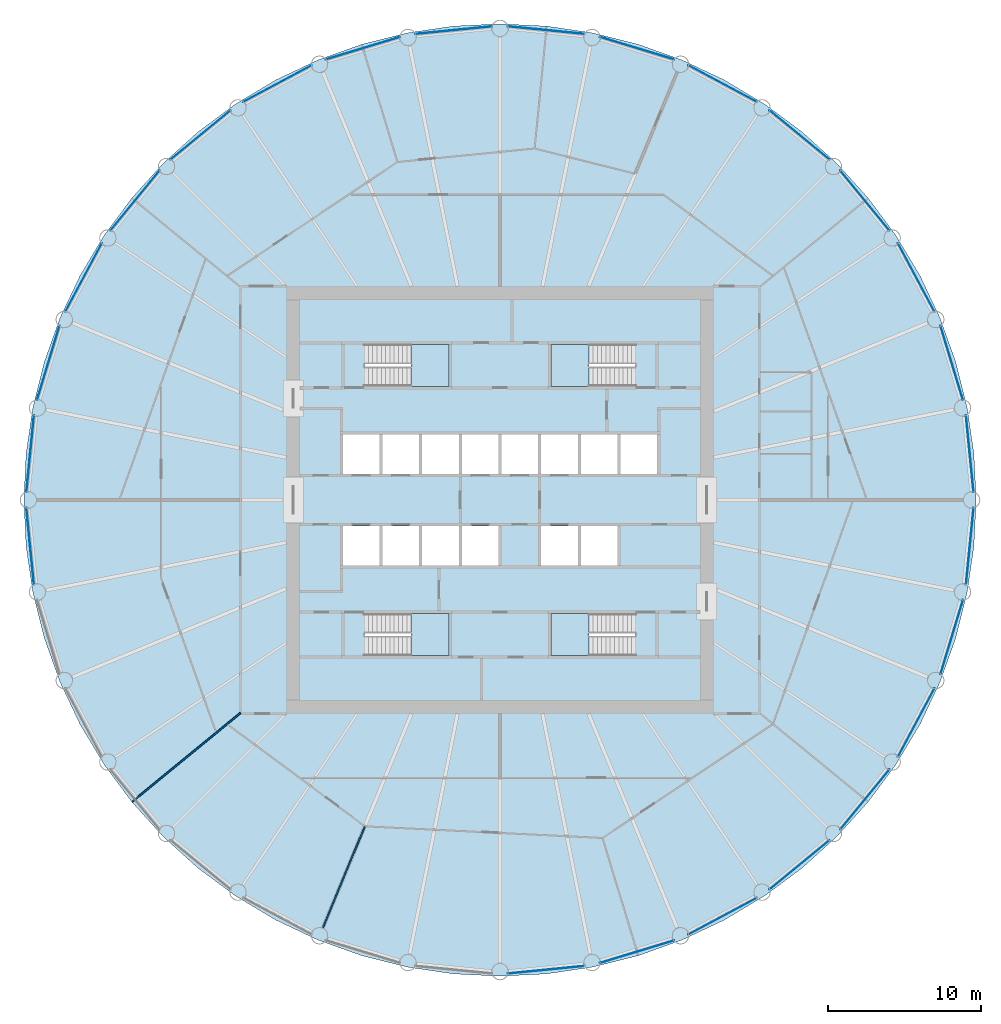
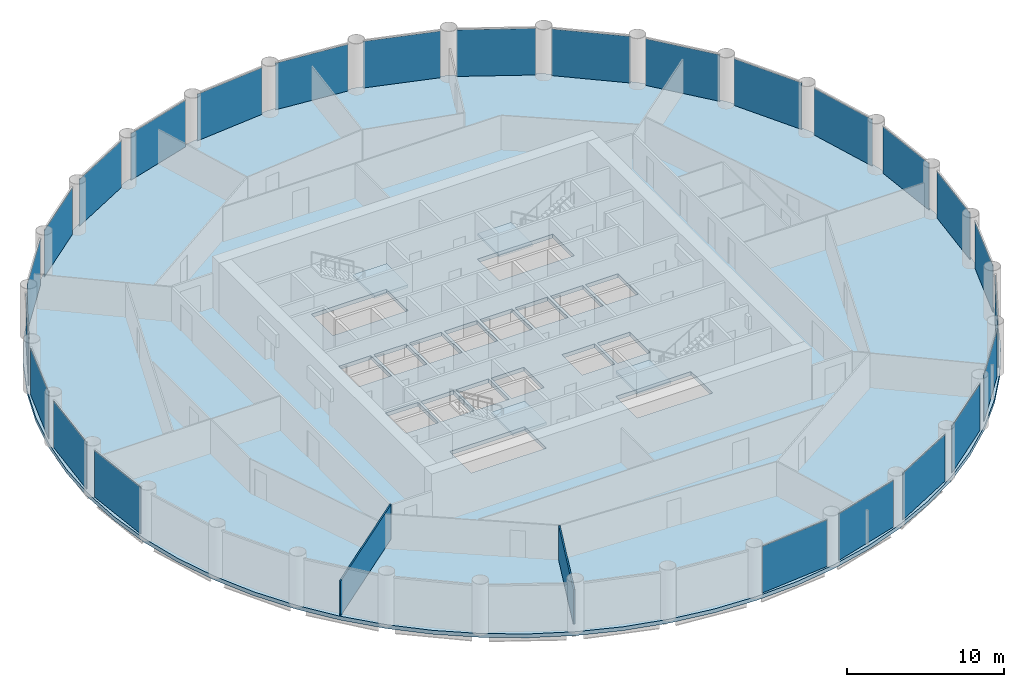
# One storey, part 3 of 9: 25 plates, 5 slabs, 2 walls, 29 elements without a shape of their own.
"""IFC4 building model written with IfcOpenShell, lengths in metres."""

import ifcopenshell
import ifcopenshell.guid

model = None  # the IFC model being written
_history = None  # IfcOwnerHistory: only IFC2X3 demands one
_inside = {}  # id of a spatial element -> (the spatial element, [elements in it])
_under = {}  # id of a project, library or spatial element -> (it, [spatial elements below it])
_declared = {}  # id of a project -> (the project, [libraries it declares])
_typed = {}  # id of a type object -> (the type object, [elements of that type])
_made_of = {}  # id of a material, layer set ... -> (it, [elements and type objects made of it])


def new_model(schema):
    """Start an empty IFC model of exactly this schema.

    Asked for "IFC4X3", IfcOpenShell would pick the latest addendum, in which some entities
    have other attributes; the version numbers below select the first issue.
    IFC2X3 requires an IfcOwnerHistory on every rooted entity: one is made here for all.
    """
    global model, _history
    if schema == "IFC4X3":
        model = ifcopenshell.file(schema_version=(4, 3, 0, 0))
    else:
        model = ifcopenshell.file(schema=schema)
    _inside.clear()
    _under.clear()
    _declared.clear()
    _typed.clear()
    _made_of.clear()
    _history = None
    if model.schema == "IFC2X3":
        org = make("IfcOrganization", Name="unknown")
        user = make(
            "IfcPersonAndOrganization",
            ThePerson=make("IfcPerson", FamilyName="unknown"),
            TheOrganization=org,
        )
        app = make(
            "IfcApplication",
            ApplicationDeveloper=org,
            Version="unknown",
            ApplicationFullName="unknown",
            ApplicationIdentifier="unknown",
        )
        _history = make(
            "IfcOwnerHistory",
            OwningUser=user,
            OwningApplication=app,
            ChangeAction="ADDED",
            CreationDate=0,
        )
    return model


def make(cls, **values):
    """One entity of the class cls with the attributes given. An attribute that is None is left unset."""
    return model.create_entity(
        cls, **{name: value for name, value in values.items() if value is not None}
    )


def rooted(cls, **values):
    """An entity with a GlobalId (a new one), such as an element, a storey or a relation."""
    return make(cls, GlobalId=ifcopenshell.guid.new(), OwnerHistory=_history, **values)


def si_unit(unit_type, name, prefix=None):
    """IfcSIUnit, for example si_unit("LENGTHUNIT", "METRE", prefix="MILLI")."""
    return make("IfcSIUnit", UnitType=unit_type, Prefix=prefix, Name=name)


def assignment(units):
    """IfcUnitAssignment: the units of a project."""
    return None if units is None else make("IfcUnitAssignment", Units=units)


def point(xyz):
    """IfcCartesianPoint."""
    return None if xyz is None else make("IfcCartesianPoint", Coordinates=xyz)


def direction(xyz):
    """IfcDirection."""
    return None if xyz is None else make("IfcDirection", DirectionRatios=xyz)


def frame(location, z_axis=None, x_axis=None):
    """IfcAxis2Placement3D, a coordinate frame: its origin and axes. An axis left out is left unset."""
    return make(
        "IfcAxis2Placement3D",
        Location=point(location),
        Axis=direction(z_axis),
        RefDirection=direction(x_axis),
    )


def frame_2d(location, x_axis=None):
    """IfcAxis2Placement2D, a coordinate frame in the plane: its origin and x axis."""
    return make(
        "IfcAxis2Placement2D", Location=point(location), RefDirection=direction(x_axis)
    )


def origin():
    """The frame at (0, 0, 0) with its axes left unset."""
    return frame((0.0, 0.0, 0.0))


def origin_2d():
    """The frame at (0, 0) in the plane with its x axis left unset."""
    return frame_2d((0.0, 0.0))


def place(relative_to, where):
    """IfcLocalPlacement: puts the frame where relative to a parent placement (None: the world)."""
    return make(
        "IfcLocalPlacement", PlacementRelTo=relative_to, RelativePlacement=where
    )


def context(
    kind, dimensions, precision=None, world=None, true_north=None, identifier=None
):
    """IfcGeometricRepresentationContext, for example the 3D "Model" context."""
    return make(
        "IfcGeometricRepresentationContext",
        ContextIdentifier=identifier,
        ContextType=kind,
        CoordinateSpaceDimension=dimensions,
        Precision=precision,
        WorldCoordinateSystem=world,
        TrueNorth=true_north,
    )


def subcontext(parent, identifier, kind, view, scale=None):
    """IfcGeometricRepresentationSubContext, for example "Body" below "Model"."""
    return make(
        "IfcGeometricRepresentationSubContext",
        ContextIdentifier=identifier,
        ContextType=kind,
        ParentContext=parent,
        TargetScale=scale,
        TargetView=view,
    )


def project(units=None, contexts=None):
    """IfcProject with its units and contexts."""
    return rooted(
        "IfcProject",
        Name="project",
        RepresentationContexts=contexts,
        UnitsInContext=assignment(units),
    )


def spatial(cls, under=None, at=None, **own):
    """A site, building, storey or space (cls), placed at a placement, below another one or the project."""
    s = rooted(cls, ObjectPlacement=at, **own)
    if under is not None:
        _under.setdefault(under.id(), (under, []))[1].append(s)
    return s


def polyline(points):
    """IfcPolyline through the points."""
    return make("IfcPolyline", Points=[point(p) for p in points])


def profile(cls, at=None, kind="AREA", **sizes):
    """A parametric profile (cls). Its sizes go by their IFC names, for example OverallWidth=200.0."""
    return make(cls, ProfileType=kind, Position=at, **sizes)


def rectangle(**sizes):
    """IfcRectangleProfileDef."""
    return profile("IfcRectangleProfileDef", **sizes)


def outline(outer, holes=None, kind="AREA"):
    """IfcArbitraryClosedProfileDef: a profile drawn as a closed curve; with holes, ...WithVoids."""
    if holes is None:
        return make("IfcArbitraryClosedProfileDef", ProfileType=kind, OuterCurve=outer)
    return make(
        "IfcArbitraryProfileDefWithVoids",
        ProfileType=kind,
        OuterCurve=outer,
        InnerCurves=holes,
    )


def extrude(swept, where, along, depth):
    """IfcExtrudedAreaSolid: the profile swept, set in the frame where, extruded along a direction by depth."""
    return make(
        "IfcExtrudedAreaSolid",
        SweptArea=swept,
        Position=where,
        ExtrudedDirection=direction(along),
        Depth=depth,
    )


def shape(context_of_items, identifier, shape_type, items):
    """IfcShapeRepresentation: the items that make up one representation, for example the "Body"."""
    return make(
        "IfcShapeRepresentation",
        ContextOfItems=context_of_items,
        RepresentationIdentifier=identifier,
        RepresentationType=shape_type,
        Items=items,
    )


def material(Name=None, Category=None):
    """IfcMaterial."""
    return make("IfcMaterial", Name=Name, Category=Category)


def layer(
    of_material, thickness, ventilated=None, Name=None, Category=None, Priority=None
):
    """IfcMaterialLayer: one layer of a wall or slab, of a material (None: an air gap)."""
    return make(
        "IfcMaterialLayer",
        Material=of_material,
        LayerThickness=thickness,
        IsVentilated=ventilated,
        Name=Name,
        Category=Category,
        Priority=Priority,
    )


def layer_set(layers, Name=None):
    """IfcMaterialLayerSet."""
    return make("IfcMaterialLayerSet", MaterialLayers=layers, LayerSetName=Name)


def made_of(thing, what):
    """Note that an element or type object is made of a material, layer set ...; save() writes the relation."""
    if what is not None:
        _made_of.setdefault(what.id(), (what, []))[1].append(thing)
    return thing


def type_object(cls, material=None, **own):
    """A type object (cls), such as IfcWallType, which elements share."""
    return made_of(rooted(cls, **own), material)


def element(
    cls,
    number,
    at=None,
    inside=None,
    cuts=None,
    type_object=None,
    material=None,
    context=None,
    identifier="Body",
    shape_type=None,
    held_by="IfcProductDefinitionShape",
    body=None,
    shapes=None,
    **own,
):
    """One element of the class cls, such as IfcWall. Its Tag is "e" and its number.

    at: its placement. inside: the storey or other place that contains it. cuts: it is an
    opening in that element (IfcRelVoidsElement). A single representation is given by context,
    identifier, shape_type and body (its items); several are given by shapes. held_by: the class
    of the entity that holds the representations. save() writes the other relations.
    """
    e = rooted(cls, Tag="e%d" % number, ObjectPlacement=at, **own)
    if body is not None:
        shapes = [shape(context, identifier, shape_type, body)]
    if shapes is not None:
        e.Representation = make(held_by, Representations=shapes)
    if inside is not None:
        _inside.setdefault(inside.id(), (inside, []))[1].append(e)
    if cuts is not None:
        rooted(
            "IfcRelVoidsElement", RelatingBuildingElement=cuts, RelatedOpeningElement=e
        )
    if type_object is not None:
        _typed.setdefault(type_object.id(), (type_object, []))[1].append(e)
    return made_of(e, material)


def aggregate(whole, parts):
    """IfcRelAggregates: a whole, such as a stair, and the parts it consists of."""
    return rooted("IfcRelAggregates", RelatingObject=whole, RelatedObjects=parts)


def save(model, path):
    """Write the relations noted so far, then the file.

    IfcRelAggregates (storeys below a building ...), IfcRelContainedInSpatialStructure (elements
    in a storey), IfcRelDefinesByType, IfcRelAssociatesMaterial and IfcRelDeclares: one each for
    every whole, place, type object, material and project.
    """
    for whole, parts in _under.values():
        aggregate(whole, parts)
    for where, things in _inside.values():
        rooted(
            "IfcRelContainedInSpatialStructure",
            RelatedElements=things,
            RelatingStructure=where,
        )
    for kind, things in _typed.values():
        rooted("IfcRelDefinesByType", RelatedObjects=things, RelatingType=kind)
    for what, things in _made_of.values():
        rooted("IfcRelAssociatesMaterial", RelatedObjects=things, RelatingMaterial=what)
    for by, libraries in _declared.values():
        rooted("IfcRelDeclares", RelatingContext=by, RelatedDefinitions=libraries)
    model.write(path)


model = new_model("IFC4")

# Units and contexts
model_context = context("Model", 3, precision=1e-05, world=origin(), true_north=direction((0.0, 1.0)))
body_context = subcontext(model_context, "Body", "Model", "MODEL_VIEW")
ifc_project = project(units=[si_unit("LENGTHUNIT", "METRE"), si_unit("AREAUNIT", "SQUARE_METRE"), si_unit("VOLUMEUNIT", "CUBIC_METRE"), si_unit("PLANEANGLEUNIT", "RADIAN"), si_unit("MASSUNIT", "GRAM", prefix="KILO")], contexts=[model_context])

# Site, building, storey
site_placement = place(None, origin())
site = spatial("IfcSite", under=ifc_project, at=site_placement, CompositionType="ELEMENT")
building_placement = place(site_placement, origin())
building = spatial("IfcBuilding", under=site, at=building_placement, Name="Corvane Civic Tower", CompositionType="ELEMENT")
storey_placement = place(building_placement, frame((0.0, 0.0, 184.0)))
storey = spatial("IfcBuildingStorey", under=building, at=storey_placement, Name="L43", CompositionType="ELEMENT", Elevation=184.0)

# Slab
ifc_material_1 = material(Name="Concrete C40/50", Category="concrete")
ifc_layer_1 = layer(ifc_material_1, 0.300048828125)
ifc_layer_set_1 = layer_set([ifc_layer_1], Name="Concrete C40/50")
slab_type_1 = type_object("IfcSlabType", Name="FLOOR SLAB 300", PredefinedType="FLOOR", material=ifc_layer_set_1)
slab_1_placement = place(storey_placement, frame((0.0, 0.0, -0.300048828125)))
element("IfcSlab", 1, at=slab_1_placement, inside=storey, type_object=slab_type_1, Name="SLB-L43", PredefinedType="FLOOR", context=body_context, shape_type="SweptSolid", body=[
    extrude(outline(polyline([(0.0, 31.199951171875), (-3.05810546875, 31.0498046875), (-6.0869140625, 30.6005859375), (-9.056884765625, 29.8564453125), (-11.939697265625, 28.824951171875), (-14.70751953125, 27.515869140625), (-17.333740234375, 25.94189453125), (-19.79296875, 24.117919921875), (-22.061767578125, 22.061767578125), (-24.117919921875, 19.79296875), (-25.94189453125, 17.333740234375), (-27.515869140625, 14.70751953125), (-28.824951171875, 11.939697265625), (-29.8564453125, 9.056884765625), (-30.6005859375, 6.0869140625), (-31.0498046875, 3.05810546875), (-31.199951171875, 0.0), (-31.0498046875, -3.05810546875), (-30.6005859375, -6.0869140625), (-29.8564453125, -9.056884765625), (-28.824951171875, -11.939697265625), (-27.515869140625, -14.70751953125), (-25.94189453125, -17.333740234375), (-24.117919921875, -19.79296875), (-22.061767578125, -22.061767578125), (-19.79296875, -24.117919921875), (-17.333740234375, -25.94189453125), (-14.70751953125, -27.515869140625), (-11.939697265625, -28.824951171875), (-9.056884765625, -29.8564453125), (-6.0869140625, -30.6005859375), (-3.05810546875, -31.0498046875), (0.0, -31.199951171875), (3.05810546875, -31.0498046875), (6.0869140625, -30.6005859375), (9.056884765625, -29.8564453125), (11.939697265625, -28.824951171875), (14.70751953125, -27.515869140625), (17.333740234375, -25.94189453125), (19.79296875, -24.117919921875), (22.061767578125, -22.061767578125), (24.117919921875, -19.79296875), (25.94189453125, -17.333740234375), (27.515869140625, -14.70751953125), (28.824951171875, -11.939697265625), (29.8564453125, -9.056884765625), (30.6005859375, -6.0869140625), (31.0498046875, -3.05810546875), (31.199951171875, 0.0), (31.0498046875, 3.05810546875), (30.6005859375, 6.0869140625), (29.8564453125, 9.056884765625), (28.824951171875, 11.939697265625), (27.515869140625, 14.70751953125), (25.94189453125, 17.333740234375), (24.117919921875, 19.79296875), (22.061767578125, 22.061767578125), (19.79296875, 24.117919921875), (17.333740234375, 25.94189453125), (14.70751953125, 27.515869140625), (11.939697265625, 28.824951171875), (9.056884765625, 29.8564453125), (6.0869140625, 30.6005859375), (3.05810546875, 31.0498046875), (0.0, 31.199951171875)]), holes=[polyline([(-10.300048828125, 4.300048828125), (-7.89990234375, 4.300048828125), (-7.89990234375, 1.699951171875), (-10.300048828125, 1.699951171875), (-10.300048828125, 4.300048828125)]), polyline([(-7.699951171875, 4.300048828125), (-5.300048828125, 4.300048828125), (-5.300048828125, 1.699951171875), (-7.699951171875, 1.699951171875), (-7.699951171875, 4.300048828125)]), polyline([(-5.10009765625, 4.300048828125), (-2.699951171875, 4.300048828125), (-2.699951171875, 1.699951171875), (-5.10009765625, 1.699951171875), (-5.10009765625, 4.300048828125)]), polyline([(-0.10009765625, 1.699951171875), (-2.5, 1.699951171875), (-2.5, 4.300048828125), (-0.10009765625, 4.300048828125), (-0.10009765625, 1.699951171875)]), polyline([(2.5, 1.699951171875), (0.10009765625, 1.699951171875), (0.10009765625, 4.300048828125), (2.5, 4.300048828125), (2.5, 1.699951171875)]), polyline([(2.699951171875, 4.300048828125), (5.10009765625, 4.300048828125), (5.10009765625, 1.699951171875), (2.699951171875, 1.699951171875), (2.699951171875, 4.300048828125)]), polyline([(5.300048828125, 4.300048828125), (7.699951171875, 4.300048828125), (7.699951171875, 1.699951171875), (5.300048828125, 1.699951171875), (5.300048828125, 4.300048828125)]), polyline([(7.89990234375, 4.300048828125), (10.300048828125, 4.300048828125), (10.300048828125, 1.699951171875), (7.89990234375, 1.699951171875), (7.89990234375, 4.300048828125)]), polyline([(-7.89990234375, -1.699951171875), (-7.89990234375, -4.300048828125), (-10.300048828125, -4.300048828125), (-10.300048828125, -1.699951171875), (-7.89990234375, -1.699951171875)]), polyline([(-7.699951171875, -4.300048828125), (-7.699951171875, -1.699951171875), (-5.300048828125, -1.699951171875), (-5.300048828125, -4.300048828125), (-7.699951171875, -4.300048828125)]), polyline([(-5.10009765625, -4.300048828125), (-5.10009765625, -1.699951171875), (-2.699951171875, -1.699951171875), (-2.699951171875, -4.300048828125), (-5.10009765625, -4.300048828125)]), polyline([(-0.10009765625, -1.699951171875), (-0.10009765625, -4.300048828125), (-2.5, -4.300048828125), (-2.5, -1.699951171875), (-0.10009765625, -1.699951171875)]), polyline([(5.10009765625, -1.699951171875), (5.10009765625, -4.300048828125), (2.699951171875, -4.300048828125), (2.699951171875, -1.699951171875), (5.10009765625, -1.699951171875)]), polyline([(7.699951171875, -1.699951171875), (7.699951171875, -4.300048828125), (5.300048828125, -4.300048828125), (5.300048828125, -1.699951171875), (7.699951171875, -1.699951171875)]), polyline([(8.889892578125, 10.199951171875), (8.889892578125, 7.449951171875), (3.35009765625, 7.449951171875), (3.35009765625, 10.199951171875), (8.889892578125, 10.199951171875)]), polyline([(-8.889892578125, 7.449951171875), (-8.889892578125, 10.199951171875), (-3.35009765625, 10.199951171875), (-3.35009765625, 7.449951171875), (-8.889892578125, 7.449951171875)]), polyline([(8.889892578125, -7.449951171875), (8.889892578125, -10.199951171875), (3.35009765625, -10.199951171875), (3.35009765625, -7.449951171875), (8.889892578125, -7.449951171875)]), polyline([(-8.889892578125, -10.199951171875), (-8.889892578125, -7.449951171875), (-3.35009765625, -7.449951171875), (-3.35009765625, -10.199951171875), (-8.889892578125, -10.199951171875)])]), origin(), (0.0, 0.0, 1.0), 0.300048828125),
])

# Stair, slab
ifc_material_2 = material(Name="Concrete C40/50", Category="concrete")
stair_type = type_object("IfcStairType", Name="ST-STAIR-HALFTURN", PredefinedType="HALF_TURN_STAIR", material=ifc_material_2)
stair_1_placement = place(storey_placement, origin())
stair_1 = element("IfcStair", 2, at=stair_1_placement, inside=storey, type_object=stair_type, Name="L43 Exit stair ST1", PredefinedType="HALF_TURN_STAIR")
ifc_material_3 = material(Name="Concrete C40/50", Category="concrete")
ifc_layer_2 = layer(ifc_material_3, 0.199951171875)
ifc_layer_set_2 = layer_set([ifc_layer_2], Name="Concrete C40/50")
slab_type_2 = type_object("IfcSlabType", Name="ST-LANDING-RC", PredefinedType="LANDING", material=ifc_layer_set_2)
slab_2_placement = place(storey_placement, frame((0.0, 0.0, 1.800048828125)))
slab_2 = element("IfcSlab", 3, at=slab_2_placement, type_object=slab_type_2, Name="ST1 landing 1", PredefinedType="LANDING", context=body_context, shape_type="SweptSolid", body=[
    extrude(outline(polyline([(5.820068359375, 10.199951171875), (3.35009765625, 10.199951171875), (3.35009765625, 7.449951171875), (5.820068359375, 7.449951171875), (5.820068359375, 10.199951171875)])), origin(), (0.0, 0.0, 1.0), 0.199951171875),
])
aggregate(stair_1, [slab_2])

stair_2_placement = place(storey_placement, origin())
stair_2 = element("IfcStair", 4, at=stair_2_placement, inside=storey, type_object=stair_type, Name="L43 Exit stair ST2", PredefinedType="HALF_TURN_STAIR")
slab_3_placement = place(storey_placement, frame((0.0, 0.0, 1.800048828125)))
slab_3 = element("IfcSlab", 5, at=slab_3_placement, type_object=slab_type_2, Name="ST2 landing 1", PredefinedType="LANDING", context=body_context, shape_type="SweptSolid", body=[
    extrude(outline(polyline([(5.820068359375, -7.449951171875), (3.35009765625, -7.449951171875), (3.35009765625, -10.199951171875), (5.820068359375, -10.199951171875), (5.820068359375, -7.449951171875)])), origin(), (0.0, 0.0, 1.0), 0.199951171875),
])
aggregate(stair_2, [slab_3])

stair_3_placement = place(storey_placement, origin())
stair_3 = element("IfcStair", 6, at=stair_3_placement, inside=storey, type_object=stair_type, Name="L43 Exit stair ST3", PredefinedType="HALF_TURN_STAIR")
slab_4_placement = place(storey_placement, frame((0.0, 0.0, 1.800048828125)))
slab_4 = element("IfcSlab", 7, at=slab_4_placement, type_object=slab_type_2, Name="ST3 landing 1", PredefinedType="LANDING", context=body_context, shape_type="SweptSolid", body=[
    extrude(outline(polyline([(-5.820068359375, -10.199951171875), (-3.35009765625, -10.199951171875), (-3.35009765625, -7.449951171875), (-5.820068359375, -7.449951171875), (-5.820068359375, -10.199951171875)])), origin(), (0.0, 0.0, 1.0), 0.199951171875),
])
aggregate(stair_3, [slab_4])

stair_4_placement = place(storey_placement, origin())
stair_4 = element("IfcStair", 8, at=stair_4_placement, inside=storey, type_object=stair_type, Name="L43 Exit stair ST4", PredefinedType="HALF_TURN_STAIR")
slab_5_placement = place(storey_placement, frame((0.0, 0.0, 1.800048828125)))
slab_5 = element("IfcSlab", 9, at=slab_5_placement, type_object=slab_type_2, Name="ST4 landing 1", PredefinedType="LANDING", context=body_context, shape_type="SweptSolid", body=[
    extrude(outline(polyline([(-5.820068359375, 7.449951171875), (-3.35009765625, 7.449951171875), (-3.35009765625, 10.199951171875), (-5.820068359375, 10.199951171875), (-5.820068359375, 7.449951171875)])), origin(), (0.0, 0.0, 1.0), 0.199951171875),
])
aggregate(stair_4, [slab_5])

# Curtain wall, plate
ifc_material_4 = material(Name="Anodised aluminium bronze", Category="aluminium")
curtain_wall_type = type_object("IfcCurtainWallType", Name="TOWER CW-T2 STICK CURTAIN WALL", PredefinedType="NOTDEFINED", material=ifc_material_4)
curtain_wall_1_placement = place(storey_placement, origin())
curtain_wall_1 = element("IfcCurtainWall", 10, at=curtain_wall_1_placement, inside=storey, type_object=curtain_wall_type, Name="Curtain wall CW-T2 L43 bay 01", PredefinedType="NOTDEFINED")
ifc_material_5 = material(Name="Tinted glass", Category="glass")
ifc_layer_3 = layer(ifc_material_5, 0.031982421875)
ifc_layer_set_3 = layer_set([ifc_layer_3], Name="Tinted glass")
plate_type = type_object("IfcPlateType", Name="TOWER CW-T2 PANEL IGU32", PredefinedType="CURTAIN_PANEL", material=ifc_layer_set_3)
plate_1_placement = place(storey_placement, frame((3.03173828125, 30.781494140625, 0.0), z_axis=(0.0, 0.0, 1.0), x_axis=(0.995185244531, -0.098011882274, 0.0)))
plate_1 = element("IfcPlate", 11, at=plate_1_placement, type_object=plate_type, Name="Glass panel CW-T2 L43 01.1", PredefinedType="CURTAIN_PANEL", context=body_context, shape_type="SweptSolid", body=[
    extrude(rectangle(XDim=5.07763671875, YDim=0.031982421875, at=origin_2d()), origin(), (0.0, 0.0, 1.0), 3.6298828125),
])
aggregate(curtain_wall_1, [plate_1])

curtain_wall_2_placement = place(storey_placement, origin())
curtain_wall_2 = element("IfcCurtainWall", 12, at=curtain_wall_2_placement, inside=storey, type_object=curtain_wall_type, Name="Curtain wall CW-T2 L43 bay 02", PredefinedType="NOTDEFINED")
plate_2_placement = place(storey_placement, frame((8.978515625, 29.5986328125, 0.0), z_axis=(0.0, 0.0, 1.0), x_axis=(0.956931677007, -0.290313219714, 0.0)))
plate_2 = element("IfcPlate", 13, at=plate_2_placement, type_object=plate_type, Name="Glass panel CW-T2 L43 02.1", PredefinedType="CURTAIN_PANEL", context=body_context, shape_type="SweptSolid", body=[
    extrude(rectangle(XDim=5.077392578125, YDim=0.031982421875, at=origin_2d()), origin(), (0.0, 0.0, 1.0), 3.6298828125),
])
aggregate(curtain_wall_2, [plate_2])

curtain_wall_3_placement = place(storey_placement, origin())
curtain_wall_3 = element("IfcCurtainWall", 14, at=curtain_wall_3_placement, inside=storey, type_object=curtain_wall_type, Name="Curtain wall CW-T2 L43 bay 03", PredefinedType="NOTDEFINED")
plate_3_placement = place(storey_placement, frame((14.58056640625, 27.278076171875, 0.0), z_axis=(0.0, 0.0, 1.0), x_axis=(0.881922190434, -0.471395004238, 0.0)))
plate_3 = element("IfcPlate", 15, at=plate_3_placement, type_object=plate_type, Name="Glass panel CW-T2 L43 03.1", PredefinedType="CURTAIN_PANEL", context=body_context, shape_type="SweptSolid", body=[
    extrude(rectangle(XDim=5.077392578125, YDim=0.031982421875, at=origin_2d()), origin(), (0.0, 0.0, 1.0), 3.6298828125),
])
aggregate(curtain_wall_3, [plate_3])

curtain_wall_4_placement = place(storey_placement, origin())
curtain_wall_4 = element("IfcCurtainWall", 16, at=curtain_wall_4_placement, inside=storey, type_object=curtain_wall_type, Name="Curtain wall CW-T2 L43 bay 04", PredefinedType="NOTDEFINED")
plate_4_placement = place(storey_placement, frame((19.6220703125, 23.909423828125, 0.0), z_axis=(0.0, 0.0, 1.0), x_axis=(0.773004844196, -0.634400118891, 0.0)))
plate_4 = element("IfcPlate", 17, at=plate_4_placement, type_object=plate_type, Name="Glass panel CW-T2 L43 04.1", PredefinedType="CURTAIN_PANEL", context=body_context, shape_type="SweptSolid", body=[
    extrude(rectangle(XDim=5.0771484375, YDim=0.031982421875, at=origin_2d()), origin(), (0.0, 0.0, 1.0), 3.6298828125),
])
aggregate(curtain_wall_4, [plate_4])

curtain_wall_5_placement = place(storey_placement, origin())
curtain_wall_5 = element("IfcCurtainWall", 18, at=curtain_wall_5_placement, inside=storey, type_object=curtain_wall_type, Name="Curtain wall CW-T2 L43 bay 05", PredefinedType="NOTDEFINED")
plate_5_placement = place(storey_placement, frame((23.909423828125, 19.6220703125, 0.0), z_axis=(0.0, 0.0, 1.0), x_axis=(0.634400118891, -0.773004844196, 0.0)))
plate_5 = element("IfcPlate", 19, at=plate_5_placement, type_object=plate_type, Name="Glass panel CW-T2 L43 05.1", PredefinedType="CURTAIN_PANEL", context=body_context, shape_type="SweptSolid", body=[
    extrude(rectangle(XDim=5.0771484375, YDim=0.031982421875, at=origin_2d()), origin(), (0.0, 0.0, 1.0), 3.6298828125),
])
aggregate(curtain_wall_5, [plate_5])

curtain_wall_6_placement = place(storey_placement, origin())
curtain_wall_6 = element("IfcCurtainWall", 20, at=curtain_wall_6_placement, inside=storey, type_object=curtain_wall_type, Name="Curtain wall CW-T2 L43 bay 06", PredefinedType="NOTDEFINED")
plate_6_placement = place(storey_placement, frame((27.278076171875, 14.58056640625, 0.0), z_axis=(0.0, 0.0, 1.0), x_axis=(0.471395004238, -0.881922190434, 0.0)))
plate_6 = element("IfcPlate", 21, at=plate_6_placement, type_object=plate_type, Name="Glass panel CW-T2 L43 06.1", PredefinedType="CURTAIN_PANEL", context=body_context, shape_type="SweptSolid", body=[
    extrude(rectangle(XDim=5.077392578125, YDim=0.031982421875, at=origin_2d()), origin(), (0.0, 0.0, 1.0), 3.6298828125),
])
aggregate(curtain_wall_6, [plate_6])

curtain_wall_7_placement = place(storey_placement, origin())
curtain_wall_7 = element("IfcCurtainWall", 22, at=curtain_wall_7_placement, inside=storey, type_object=curtain_wall_type, Name="Curtain wall CW-T2 L43 bay 07", PredefinedType="NOTDEFINED")
plate_7_placement = place(storey_placement, frame((29.5986328125, 8.978515625, 0.0), z_axis=(0.0, 0.0, 1.0), x_axis=(0.290313219714, -0.956931677007, 0.0)))
plate_7 = element("IfcPlate", 23, at=plate_7_placement, type_object=plate_type, Name="Glass panel CW-T2 L43 07.1", PredefinedType="CURTAIN_PANEL", context=body_context, shape_type="SweptSolid", body=[
    extrude(rectangle(XDim=5.077392578125, YDim=0.031982421875, at=origin_2d()), origin(), (0.0, 0.0, 1.0), 3.6298828125),
])
aggregate(curtain_wall_7, [plate_7])

curtain_wall_8_placement = place(storey_placement, origin())
curtain_wall_8 = element("IfcCurtainWall", 24, at=curtain_wall_8_placement, inside=storey, type_object=curtain_wall_type, Name="Curtain wall CW-T2 L43 bay 08", PredefinedType="NOTDEFINED")
plate_8_placement = place(storey_placement, frame((30.781494140625, 3.03173828125, 0.0), z_axis=(0.0, 0.0, 1.0), x_axis=(0.098011882274, -0.995185244531, 0.0)))
plate_8 = element("IfcPlate", 25, at=plate_8_placement, type_object=plate_type, Name="Glass panel CW-T2 L43 08.1", PredefinedType="CURTAIN_PANEL", context=body_context, shape_type="SweptSolid", body=[
    extrude(rectangle(XDim=5.07763671875, YDim=0.031982421875, at=origin_2d()), origin(), (0.0, 0.0, 1.0), 3.6298828125),
])
aggregate(curtain_wall_8, [plate_8])

curtain_wall_9_placement = place(storey_placement, origin())
curtain_wall_9 = element("IfcCurtainWall", 26, at=curtain_wall_9_placement, inside=storey, type_object=curtain_wall_type, Name="Curtain wall CW-T2 L43 bay 09", PredefinedType="NOTDEFINED")
plate_9_placement = place(storey_placement, frame((30.781494140625, -3.03173828125, 0.0), z_axis=(0.0, 0.0, 1.0), x_axis=(-0.098011882274, -0.995185244531, 0.0)))
plate_9 = element("IfcPlate", 27, at=plate_9_placement, type_object=plate_type, Name="Glass panel CW-T2 L43 09.1", PredefinedType="CURTAIN_PANEL", context=body_context, shape_type="SweptSolid", body=[
    extrude(rectangle(XDim=5.07763671875, YDim=0.031982421875, at=origin_2d()), origin(), (0.0, 0.0, 1.0), 3.6298828125),
])
aggregate(curtain_wall_9, [plate_9])

curtain_wall_10_placement = place(storey_placement, origin())
curtain_wall_10 = element("IfcCurtainWall", 28, at=curtain_wall_10_placement, inside=storey, type_object=curtain_wall_type, Name="Curtain wall CW-T2 L43 bay 10", PredefinedType="NOTDEFINED")
plate_10_placement = place(storey_placement, frame((29.5986328125, -8.978515625, 0.0), z_axis=(0.0, 0.0, 1.0), x_axis=(-0.290313219714, -0.956931677007, 0.0)))
plate_10 = element("IfcPlate", 29, at=plate_10_placement, type_object=plate_type, Name="Glass panel CW-T2 L43 10.1", PredefinedType="CURTAIN_PANEL", context=body_context, shape_type="SweptSolid", body=[
    extrude(rectangle(XDim=5.077392578125, YDim=0.031982421875, at=origin_2d()), origin(), (0.0, 0.0, 1.0), 3.6298828125),
])
aggregate(curtain_wall_10, [plate_10])

curtain_wall_11_placement = place(storey_placement, origin())
curtain_wall_11 = element("IfcCurtainWall", 30, at=curtain_wall_11_placement, inside=storey, type_object=curtain_wall_type, Name="Curtain wall CW-T2 L43 bay 11", PredefinedType="NOTDEFINED")
plate_11_placement = place(storey_placement, frame((27.278076171875, -14.58056640625, 0.0), z_axis=(0.0, 0.0, 1.0), x_axis=(-0.471395004238, -0.881922190434, 0.0)))
plate_11 = element("IfcPlate", 31, at=plate_11_placement, type_object=plate_type, Name="Glass panel CW-T2 L43 11.1", PredefinedType="CURTAIN_PANEL", context=body_context, shape_type="SweptSolid", body=[
    extrude(rectangle(XDim=5.077392578125, YDim=0.031982421875, at=origin_2d()), origin(), (0.0, 0.0, 1.0), 3.6298828125),
])
aggregate(curtain_wall_11, [plate_11])

curtain_wall_12_placement = place(storey_placement, origin())
curtain_wall_12 = element("IfcCurtainWall", 32, at=curtain_wall_12_placement, inside=storey, type_object=curtain_wall_type, Name="Curtain wall CW-T2 L43 bay 12", PredefinedType="NOTDEFINED")
plate_12_placement = place(storey_placement, frame((23.909423828125, -19.6220703125, 0.0), z_axis=(0.0, 0.0, 1.0), x_axis=(-0.634400118891, -0.773004844196, 0.0)))
plate_12 = element("IfcPlate", 33, at=plate_12_placement, type_object=plate_type, Name="Glass panel CW-T2 L43 12.1", PredefinedType="CURTAIN_PANEL", context=body_context, shape_type="SweptSolid", body=[
    extrude(rectangle(XDim=5.0771484375, YDim=0.031982421875, at=origin_2d()), origin(), (0.0, 0.0, 1.0), 3.6298828125),
])
aggregate(curtain_wall_12, [plate_12])

curtain_wall_13_placement = place(storey_placement, origin())
curtain_wall_13 = element("IfcCurtainWall", 34, at=curtain_wall_13_placement, inside=storey, type_object=curtain_wall_type, Name="Curtain wall CW-T2 L43 bay 13", PredefinedType="NOTDEFINED")
plate_13_placement = place(storey_placement, frame((19.6220703125, -23.909423828125, 0.0), z_axis=(0.0, 0.0, 1.0), x_axis=(-0.773004844196, -0.634400118891, 0.0)))
plate_13 = element("IfcPlate", 35, at=plate_13_placement, type_object=plate_type, Name="Glass panel CW-T2 L43 13.1", PredefinedType="CURTAIN_PANEL", context=body_context, shape_type="SweptSolid", body=[
    extrude(rectangle(XDim=5.0771484375, YDim=0.031982421875, at=origin_2d()), origin(), (0.0, 0.0, 1.0), 3.6298828125),
])
aggregate(curtain_wall_13, [plate_13])

curtain_wall_14_placement = place(storey_placement, origin())
curtain_wall_14 = element("IfcCurtainWall", 36, at=curtain_wall_14_placement, inside=storey, type_object=curtain_wall_type, Name="Curtain wall CW-T2 L43 bay 14", PredefinedType="NOTDEFINED")
plate_14_placement = place(storey_placement, frame((14.58056640625, -27.278076171875, 0.0), z_axis=(0.0, 0.0, 1.0), x_axis=(-0.881922190434, -0.471395004238, 0.0)))
plate_14 = element("IfcPlate", 37, at=plate_14_placement, type_object=plate_type, Name="Glass panel CW-T2 L43 14.1", PredefinedType="CURTAIN_PANEL", context=body_context, shape_type="SweptSolid", body=[
    extrude(rectangle(XDim=5.077392578125, YDim=0.031982421875, at=origin_2d()), origin(), (0.0, 0.0, 1.0), 3.6298828125),
])
aggregate(curtain_wall_14, [plate_14])

curtain_wall_15_placement = place(storey_placement, origin())
curtain_wall_15 = element("IfcCurtainWall", 38, at=curtain_wall_15_placement, inside=storey, type_object=curtain_wall_type, Name="Curtain wall CW-T2 L43 bay 15", PredefinedType="NOTDEFINED")
plate_15_placement = place(storey_placement, frame((8.978515625, -29.5986328125, 0.0), z_axis=(0.0, 0.0, 1.0), x_axis=(-0.956931677007, -0.290313219714, 0.0)))
plate_15 = element("IfcPlate", 39, at=plate_15_placement, type_object=plate_type, Name="Glass panel CW-T2 L43 15.1", PredefinedType="CURTAIN_PANEL", context=body_context, shape_type="SweptSolid", body=[
    extrude(rectangle(XDim=5.077392578125, YDim=0.031982421875, at=origin_2d()), origin(), (0.0, 0.0, 1.0), 3.6298828125),
])
aggregate(curtain_wall_15, [plate_15])

curtain_wall_16_placement = place(storey_placement, origin())
curtain_wall_16 = element("IfcCurtainWall", 40, at=curtain_wall_16_placement, inside=storey, type_object=curtain_wall_type, Name="Curtain wall CW-T2 L43 bay 16", PredefinedType="NOTDEFINED")
plate_16_placement = place(storey_placement, frame((3.03173828125, -30.781494140625, 0.0), z_axis=(0.0, 0.0, 1.0), x_axis=(-0.995185244531, -0.098011882274, 0.0)))
plate_16 = element("IfcPlate", 41, at=plate_16_placement, type_object=plate_type, Name="Glass panel CW-T2 L43 16.1", PredefinedType="CURTAIN_PANEL", context=body_context, shape_type="SweptSolid", body=[
    extrude(rectangle(XDim=5.07763671875, YDim=0.031982421875, at=origin_2d()), origin(), (0.0, 0.0, 1.0), 3.6298828125),
])
aggregate(curtain_wall_16, [plate_16])

curtain_wall_17_placement = place(storey_placement, origin())
curtain_wall_17 = element("IfcCurtainWall", 42, at=curtain_wall_17_placement, inside=storey, type_object=curtain_wall_type, Name="Curtain wall CW-T2 L43 bay 24", PredefinedType="NOTDEFINED")
plate_17_placement = place(storey_placement, frame((-30.781494140625, -3.03173828125, 0.0), z_axis=(0.0, 0.0, 1.0), x_axis=(-0.098011882274, 0.995185244531, 0.0)))
plate_17 = element("IfcPlate", 43, at=plate_17_placement, type_object=plate_type, Name="Glass panel CW-T2 L43 24.1", PredefinedType="CURTAIN_PANEL", context=body_context, shape_type="SweptSolid", body=[
    extrude(rectangle(XDim=5.07763671875, YDim=0.031982421875, at=origin_2d()), origin(), (0.0, 0.0, 1.0), 3.6298828125),
])
aggregate(curtain_wall_17, [plate_17])

curtain_wall_18_placement = place(storey_placement, origin())
curtain_wall_18 = element("IfcCurtainWall", 44, at=curtain_wall_18_placement, inside=storey, type_object=curtain_wall_type, Name="Curtain wall CW-T2 L43 bay 25", PredefinedType="NOTDEFINED")
plate_18_placement = place(storey_placement, frame((-30.781494140625, 3.03173828125, 0.0), z_axis=(0.0, 0.0, 1.0), x_axis=(0.098011882274, 0.995185244531, 0.0)))
plate_18 = element("IfcPlate", 45, at=plate_18_placement, type_object=plate_type, Name="Glass panel CW-T2 L43 25.1", PredefinedType="CURTAIN_PANEL", context=body_context, shape_type="SweptSolid", body=[
    extrude(rectangle(XDim=5.07763671875, YDim=0.031982421875, at=origin_2d()), origin(), (0.0, 0.0, 1.0), 3.6298828125),
])
aggregate(curtain_wall_18, [plate_18])

curtain_wall_19_placement = place(storey_placement, origin())
curtain_wall_19 = element("IfcCurtainWall", 46, at=curtain_wall_19_placement, inside=storey, type_object=curtain_wall_type, Name="Curtain wall CW-T2 L43 bay 26", PredefinedType="NOTDEFINED")
plate_19_placement = place(storey_placement, frame((-29.5986328125, 8.978515625, 0.0), z_axis=(0.0, 0.0, 1.0), x_axis=(0.290313219714, 0.956931677007, 0.0)))
plate_19 = element("IfcPlate", 47, at=plate_19_placement, type_object=plate_type, Name="Glass panel CW-T2 L43 26.1", PredefinedType="CURTAIN_PANEL", context=body_context, shape_type="SweptSolid", body=[
    extrude(rectangle(XDim=5.077392578125, YDim=0.031982421875, at=origin_2d()), origin(), (0.0, 0.0, 1.0), 3.6298828125),
])
aggregate(curtain_wall_19, [plate_19])

curtain_wall_20_placement = place(storey_placement, origin())
curtain_wall_20 = element("IfcCurtainWall", 48, at=curtain_wall_20_placement, inside=storey, type_object=curtain_wall_type, Name="Curtain wall CW-T2 L43 bay 27", PredefinedType="NOTDEFINED")
plate_20_placement = place(storey_placement, frame((-27.278076171875, 14.58056640625, 0.0), z_axis=(0.0, 0.0, 1.0), x_axis=(0.471395004238, 0.881922190434, 0.0)))
plate_20 = element("IfcPlate", 49, at=plate_20_placement, type_object=plate_type, Name="Glass panel CW-T2 L43 27.1", PredefinedType="CURTAIN_PANEL", context=body_context, shape_type="SweptSolid", body=[
    extrude(rectangle(XDim=5.077392578125, YDim=0.031982421875, at=origin_2d()), origin(), (0.0, 0.0, 1.0), 3.6298828125),
])
aggregate(curtain_wall_20, [plate_20])

curtain_wall_21_placement = place(storey_placement, origin())
curtain_wall_21 = element("IfcCurtainWall", 50, at=curtain_wall_21_placement, inside=storey, type_object=curtain_wall_type, Name="Curtain wall CW-T2 L43 bay 28", PredefinedType="NOTDEFINED")
plate_21_placement = place(storey_placement, frame((-23.909423828125, 19.6220703125, 0.0), z_axis=(0.0, 0.0, 1.0), x_axis=(0.634400118891, 0.773004844196, 0.0)))
plate_21 = element("IfcPlate", 51, at=plate_21_placement, type_object=plate_type, Name="Glass panel CW-T2 L43 28.1", PredefinedType="CURTAIN_PANEL", context=body_context, shape_type="SweptSolid", body=[
    extrude(rectangle(XDim=5.0771484375, YDim=0.031982421875, at=origin_2d()), origin(), (0.0, 0.0, 1.0), 3.6298828125),
])
aggregate(curtain_wall_21, [plate_21])

curtain_wall_22_placement = place(storey_placement, origin())
curtain_wall_22 = element("IfcCurtainWall", 52, at=curtain_wall_22_placement, inside=storey, type_object=curtain_wall_type, Name="Curtain wall CW-T2 L43 bay 29", PredefinedType="NOTDEFINED")
plate_22_placement = place(storey_placement, frame((-19.6220703125, 23.909423828125, 0.0), z_axis=(0.0, 0.0, 1.0), x_axis=(0.773004844196, 0.634400118891, 0.0)))
plate_22 = element("IfcPlate", 53, at=plate_22_placement, type_object=plate_type, Name="Glass panel CW-T2 L43 29.1", PredefinedType="CURTAIN_PANEL", context=body_context, shape_type="SweptSolid", body=[
    extrude(rectangle(XDim=5.0771484375, YDim=0.031982421875, at=origin_2d()), origin(), (0.0, 0.0, 1.0), 3.6298828125),
])
aggregate(curtain_wall_22, [plate_22])

curtain_wall_23_placement = place(storey_placement, origin())
curtain_wall_23 = element("IfcCurtainWall", 54, at=curtain_wall_23_placement, inside=storey, type_object=curtain_wall_type, Name="Curtain wall CW-T2 L43 bay 30", PredefinedType="NOTDEFINED")
plate_23_placement = place(storey_placement, frame((-14.58056640625, 27.278076171875, 0.0), z_axis=(0.0, 0.0, 1.0), x_axis=(0.881922190434, 0.471395004238, 0.0)))
plate_23 = element("IfcPlate", 55, at=plate_23_placement, type_object=plate_type, Name="Glass panel CW-T2 L43 30.1", PredefinedType="CURTAIN_PANEL", context=body_context, shape_type="SweptSolid", body=[
    extrude(rectangle(XDim=5.077392578125, YDim=0.031982421875, at=origin_2d()), origin(), (0.0, 0.0, 1.0), 3.6298828125),
])
aggregate(curtain_wall_23, [plate_23])

curtain_wall_24_placement = place(storey_placement, origin())
curtain_wall_24 = element("IfcCurtainWall", 56, at=curtain_wall_24_placement, inside=storey, type_object=curtain_wall_type, Name="Curtain wall CW-T2 L43 bay 31", PredefinedType="NOTDEFINED")
plate_24_placement = place(storey_placement, frame((-8.978515625, 29.5986328125, 0.0), z_axis=(0.0, 0.0, 1.0), x_axis=(0.956931677007, 0.290313219714, 0.0)))
plate_24 = element("IfcPlate", 57, at=plate_24_placement, type_object=plate_type, Name="Glass panel CW-T2 L43 31.1", PredefinedType="CURTAIN_PANEL", context=body_context, shape_type="SweptSolid", body=[
    extrude(rectangle(XDim=5.077392578125, YDim=0.031982421875, at=origin_2d()), origin(), (0.0, 0.0, 1.0), 3.6298828125),
])
aggregate(curtain_wall_24, [plate_24])

curtain_wall_25_placement = place(storey_placement, origin())
curtain_wall_25 = element("IfcCurtainWall", 58, at=curtain_wall_25_placement, inside=storey, type_object=curtain_wall_type, Name="Curtain wall CW-T2 L43 bay 32", PredefinedType="NOTDEFINED")
plate_25_placement = place(storey_placement, frame((-3.03173828125, 30.781494140625, 0.0), z_axis=(0.0, 0.0, 1.0), x_axis=(0.995185244531, 0.098011882274, 0.0)))
plate_25 = element("IfcPlate", 59, at=plate_25_placement, type_object=plate_type, Name="Glass panel CW-T2 L43 32.1", PredefinedType="CURTAIN_PANEL", context=body_context, shape_type="SweptSolid", body=[
    extrude(rectangle(XDim=5.07763671875, YDim=0.031982421875, at=origin_2d()), origin(), (0.0, 0.0, 1.0), 3.6298828125),
])
aggregate(curtain_wall_25, [plate_25])

# Walls
ifc_material_6 = material(Name="Plasterboard")
ifc_layer_4 = layer(ifc_material_6, 0.10009765625)
ifc_layer_set_4 = layer_set([ifc_layer_4], Name="Plasterboard")
wall_type = type_object("IfcWallType", Name="Partition 100 plasterboard on studs", PredefinedType="PARTITIONING", material=ifc_layer_set_4)
wall_1_placement = place(storey_placement, frame((-11.610595703125, -28.030517578125, 0.0), z_axis=(0.0, 0.0, 1.0), x_axis=(0.382685035902, 0.923878868303, 0.0)))
element("IfcWall", 60, at=wall_1_placement, inside=storey, type_object=wall_type, Name="Partition L43.002", PredefinedType="PARTITIONING", context=body_context, shape_type="SweptSolid", body=[
    extrude(rectangle(XDim=7.16064453125, YDim=0.10009765625, at=frame_2d((3.580322265625, 0.0))), origin(), (0.0, 0.0, 1.0), 2.699951171875),
])
wall_2_placement = place(storey_placement, frame((-24.079345703125, -19.761474609375, 0.0), z_axis=(0.0, 0.0, 1.0), x_axis=(0.773006154143, 0.634398522742, 0.0)))
element("IfcWall", 61, at=wall_2_placement, inside=storey, type_object=wall_type, Name="Partition L43.006", PredefinedType="PARTITIONING", context=body_context, shape_type="SweptSolid", body=[
    extrude(rectangle(XDim=9.134521484375, YDim=0.10009765625, at=frame_2d((4.5673828125, 0.0))), origin(), (0.0, 0.0, 1.0), 2.699951171875),
])

save(model, "model.ifc")
